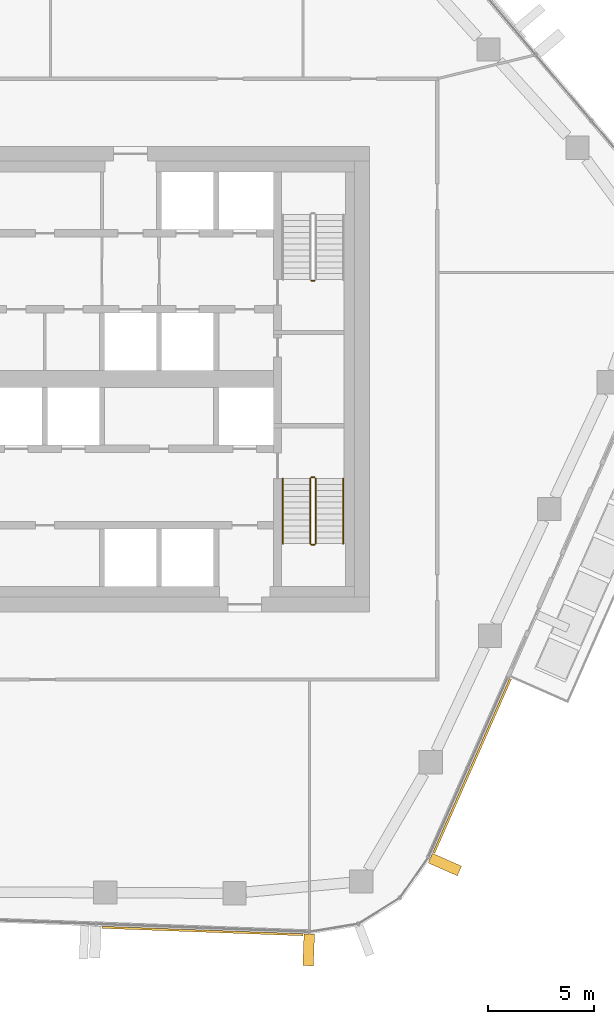
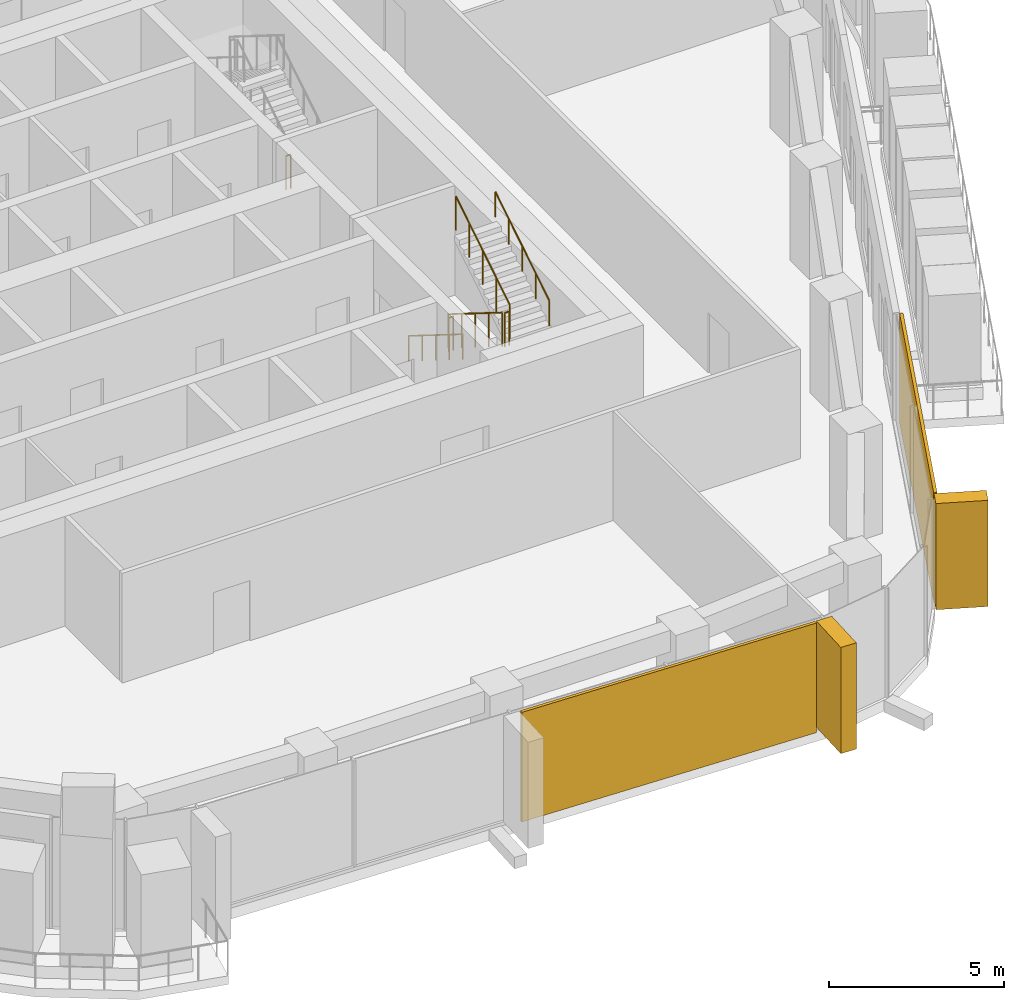
# One storey, part 17 of 21: 7 railings, 4 coverings, 2 elements without a shape of their own.
"""IFC4 building model written with IfcOpenShell, lengths in metres."""

from ifc_helpers import new_model, si_unit, direction, frame, origin, origin_2d, place, context, subcontext, project, spatial, rectangle, circle, extrude, material, layer, layer_set, material_profile, profile_set, type_object, element, aggregate, save


model = new_model("IFC4")

# Units and contexts
model_context = context("Model", 3, precision=1e-05, world=origin(), true_north=direction((0.0, 1.0)))
body_context = subcontext(model_context, "Body", "Model", "MODEL_VIEW")
ifc_project = project(units=[si_unit("LENGTHUNIT", "METRE"), si_unit("AREAUNIT", "SQUARE_METRE"), si_unit("VOLUMEUNIT", "CUBIC_METRE"), si_unit("PLANEANGLEUNIT", "RADIAN"), si_unit("MASSUNIT", "GRAM", prefix="KILO")], contexts=[model_context])

# Site, building, storey
site_placement = place(None, origin())
site = spatial("IfcSite", under=ifc_project, at=site_placement, CompositionType="ELEMENT")
building_placement = place(site_placement, origin())
building = spatial("IfcBuilding", under=site, at=building_placement, Name="Dongbaek Canopy Tower", CompositionType="ELEMENT")
storey_placement = place(building_placement, frame((0.0, 0.0, 274.800048828125)))
storey = spatial("IfcBuildingStorey", under=building, at=storey_placement, Name="L58", CompositionType="ELEMENT", Elevation=274.800048828125)

# Curtain wall, covering
ifc_material_1 = material(Name="Aluminium 6063-T6 pale anodised", Category="aluminium")
ifc_layer_1 = layer(ifc_material_1, 0.199951171875)
ifc_layer_set_1 = layer_set([ifc_layer_1], Name="CW-1 unitised tower curtain wall")
curtain_wall_type = type_object("IfcCurtainWallType", Name="CW-1 unitised tower curtain wall", PredefinedType="NOTDEFINED", material=ifc_layer_set_1)
curtain_wall_1_placement = place(storey_placement, origin())
curtain_wall_1 = element("IfcCurtainWall", 1, at=curtain_wall_1_placement, inside=storey, type_object=curtain_wall_type, Name="CW-1 curtain wall F4.1", PredefinedType="NOTDEFINED")
ifc_material_2 = material(Name="Perforated aluminium 6063-T6 pale metal screen", Category="aluminium")
ifc_layer_2 = layer(ifc_material_2, 0.10009765625)
ifc_layer_set_2 = layer_set([ifc_layer_2], Name="Facet screen FS1 100 pale metal")
covering_type_1 = type_object("IfcCoveringType", Name="Facet screen FS1 100 pale metal", PredefinedType="CLADDING", material=ifc_layer_set_2)
covering_1_placement = place(storey_placement, frame((6.105712890625, -26.08984375, 0.0), z_axis=(0.0, 0.0, 1.0), x_axis=(0.999319925154, -0.036873936466, 0.0)))
covering_1 = element("IfcCovering", 2, at=covering_1_placement, type_object=covering_type_1, Name="Facet screen L58 F4", PredefinedType="CLADDING", context=body_context, shape_type="SweptSolid", body=[
    extrude(rectangle(XDim=9.514892578125, YDim=0.10009765625, at=origin_2d()), origin(), (0.0, 0.0, 1.0), 3.820068359375),
])

curtain_wall_2_placement = place(storey_placement, origin())
curtain_wall_2 = element("IfcCurtainWall", 3, at=curtain_wall_2_placement, inside=storey, type_object=curtain_wall_type, Name="CW-1 curtain wall F5.1", PredefinedType="NOTDEFINED")
covering_2_placement = place(storey_placement, frame((18.85009765625, -18.281982421875, 0.0), z_axis=(0.0, 0.0, 1.0), x_axis=(0.403288178578, 0.915073027151, 0.0)))
covering_2 = element("IfcCovering", 4, at=covering_2_placement, type_object=covering_type_1, Name="Facet screen L58 F5", PredefinedType="CLADDING", context=body_context, shape_type="SweptSolid", body=[
    extrude(rectangle(XDim=8.99609375, YDim=0.10009765625, at=origin_2d()), origin(), (0.0, 0.0, 1.0), 3.820068359375),
])

# Covering
ifc_material_3 = material(Name="Aluminium 6063-T6 pale metal fin", Category="aluminium")
ifc_material_profile = material_profile(ifc_material_3, rectangle(XDim=1.5, YDim=0.5, at=origin_2d()), Name="Fin FN1 500 x 1500 pale metal")
ifc_profile_set = profile_set([ifc_material_profile], Name="Aluminium 6063-T6 pale metal fin")
covering_type_2 = type_object("IfcCoveringType", Name="Fin FN1 500 x 1500 pale metal", PredefinedType="CLADDING", material=ifc_profile_set)
covering_3_placement = place(storey_placement, frame((11.123779296875, -26.9794921875, 0.119873046875), z_axis=(0.0, 0.0, 1.0), x_axis=(-0.036873891921, -0.999319926798, 0.0)))
covering_3 = element("IfcCovering", 5, at=covering_3_placement, type_object=covering_type_2, Name="Fin F4.1.5", PredefinedType="CLADDING", context=body_context, shape_type="SweptSolid", body=[
    extrude(rectangle(XDim=1.5, YDim=0.5, at=origin_2d()), origin(), (0.0, 0.0, 1.0), 3.7001953125),
])

aggregate(curtain_wall_1, [covering_3, covering_1])

covering_4_placement = place(storey_placement, frame((17.563232421875, -22.947509765625, 0.119873046875), z_axis=(0.0, 0.0, 1.0), x_axis=(0.915073119112, -0.403287969917, 0.0)))
covering_4 = element("IfcCovering", 6, at=covering_4_placement, type_object=covering_type_2, Name="Fin F5.1.1", PredefinedType="CLADDING", context=body_context, shape_type="SweptSolid", body=[
    extrude(rectangle(XDim=1.5, YDim=0.5, at=origin_2d()), origin(), (0.0, 0.0, 1.0), 3.7001953125),
])

aggregate(curtain_wall_2, [covering_4, covering_2])

# Railings
ifc_material_4 = material(Name="Stainless steel tube and balusters", Category="steel")
railing_type_1 = type_object("IfcRailingType", Name="Stair guard 1200", PredefinedType="GUARDRAIL", material=ifc_material_4)
railing_1_placement = place(storey_placement, frame((11.39990234375, 4.64990234375, 0.0)))
element("IfcRailing", 7, at=railing_1_placement, inside=storey, type_object=railing_type_1, Name="L58 ST-A stair guard 4", PredefinedType="GUARDRAIL", context=body_context, shape_type="SweptSolid", body=[
    extrude(circle(Radius=0.02392578125, at=origin_2d()), frame((0.0, 0.0, 1.17578125), z_axis=(-1.0, 0.0, 0.0), x_axis=(0.0, -1.0, 0.0)), (0.0, 0.0, 1.0), 0.14990234375),
    extrude(circle(Radius=0.02099609375, at=origin_2d()), origin(), (0.0, 0.0, 1.0), 1.15185546875),
    extrude(circle(Radius=0.02099609375, at=origin_2d()), frame((-0.14990234375, 0.0, 0.0)), (0.0, 0.0, 1.0), 1.15185546875),
])
railing_2_placement = place(storey_placement, frame((11.199951171875, -4.699951171875, 0.175048828125)))
element("IfcRailing", 8, at=railing_2_placement, inside=storey, type_object=railing_type_1, Name="L58 ST-B stair guard 1", PredefinedType="GUARDRAIL", context=body_context, shape_type="SweptSolid", body=[
    extrude(circle(Radius=0.02392578125, at=origin_2d()), frame((0.0, 0.0, 1.17578125), z_axis=(0.0, -0.848028513186, 0.529950602248), x_axis=(1.0, 0.0, 0.0)), (0.0, 0.0, 1.0), 3.632080078125),
    extrude(circle(Radius=0.02099609375, at=origin_2d()), origin(), (0.0, 0.0, 1.0), 1.15185546875),
    extrude(circle(Radius=0.02099609375, at=origin_2d()), frame((0.0, -0.77001953125, 0.481201171875)), (0.0, 0.0, 1.0), 1.15185546875),
    extrude(circle(Radius=0.02099609375, at=origin_2d()), frame((0.0, -1.5400390625, 0.96240234375)), (0.0, 0.0, 1.0), 1.15185546875),
    extrude(circle(Radius=0.02099609375, at=origin_2d()), frame((0.0, -2.31005859375, 1.443603515625)), (0.0, 0.0, 1.0), 1.15185546875),
    extrude(circle(Radius=0.02099609375, at=origin_2d()), frame((0.0, -3.080078125, 1.9248046875)), (0.0, 0.0, 1.0), 1.15185546875),
])
railing_3_placement = place(storey_placement, frame((11.25, -7.830078125, 2.099853515625)))
element("IfcRailing", 9, at=railing_3_placement, inside=storey, type_object=railing_type_1, Name="L58 ST-B stair guard 2", PredefinedType="GUARDRAIL", context=body_context, shape_type="SweptSolid", body=[
    extrude(circle(Radius=0.02392578125, at=origin_2d()), frame((0.0, 0.0, 1.17578125), z_axis=(1.0, 0.0, 0.0), x_axis=(0.0, 1.0, 0.0)), (0.0, 0.0, 1.0), 0.14990234375),
    extrude(circle(Radius=0.02099609375, at=origin_2d()), origin(), (0.0, 0.0, 1.0), 1.15185546875),
    extrude(circle(Radius=0.02099609375, at=origin_2d()), frame((0.14990234375, 0.0, 0.0)), (0.0, 0.0, 1.0), 1.15185546875),
])
railing_4_placement = place(storey_placement, frame((11.449951171875, -7.780029296875, 2.27490234375)))
element("IfcRailing", 10, at=railing_4_placement, inside=storey, type_object=railing_type_1, Name="L58 ST-B stair guard 3", PredefinedType="GUARDRAIL", context=body_context, shape_type="SweptSolid", body=[
    extrude(circle(Radius=0.02392578125, at=origin_2d()), frame((0.0, 0.0, 1.17578125), z_axis=(0.0, 0.847998304005, 0.529998940003), x_axis=(-1.0, 0.0, 0.0)), (0.0, 0.0, 1.0), 3.632080078125),
    extrude(circle(Radius=0.02099609375, at=origin_2d()), origin(), (0.0, 0.0, 1.0), 1.15185546875),
    extrude(circle(Radius=0.02099609375, at=origin_2d()), frame((0.0, 0.77001953125, 0.481201171875)), (0.0, 0.0, 1.0), 1.15185546875),
    extrude(circle(Radius=0.02099609375, at=origin_2d()), frame((0.0, 1.5400390625, 0.96240234375)), (0.0, 0.0, 1.0), 1.15185546875),
    extrude(circle(Radius=0.02099609375, at=origin_2d()), frame((0.0, 2.31005859375, 1.44384765625)), (0.0, 0.0, 1.0), 1.15185546875),
    extrude(circle(Radius=0.02099609375, at=origin_2d()), frame((0.0, 3.080078125, 1.925048828125)), (0.0, 0.0, 1.0), 1.15185546875),
])
railing_5_placement = place(storey_placement, frame((11.25, -4.64990234375, 0.0)))
element("IfcRailing", 11, at=railing_5_placement, inside=storey, type_object=railing_type_1, Name="L58 ST-B stair guard 4", PredefinedType="GUARDRAIL", context=body_context, shape_type="SweptSolid", body=[
    extrude(circle(Radius=0.02392578125, at=origin_2d()), frame((0.0, 0.0, 1.17578125), z_axis=(1.0, 0.0, 0.0), x_axis=(0.0, 1.0, 0.0)), (0.0, 0.0, 1.0), 0.14990234375),
    extrude(circle(Radius=0.02099609375, at=origin_2d()), origin(), (0.0, 0.0, 1.0), 1.15185546875),
    extrude(circle(Radius=0.02099609375, at=origin_2d()), frame((0.14990234375, 0.0, 0.0)), (0.0, 0.0, 1.0), 1.15185546875),
])
ifc_material_5 = material(Name="Stainless steel tube", Category="steel")
railing_type_2 = type_object("IfcRailingType", Name="Stair handrail 900", PredefinedType="HANDRAIL", material=ifc_material_5)
railing_6_placement = place(storey_placement, frame((9.89990234375, -4.699951171875, 0.175048828125)))
element("IfcRailing", 12, at=railing_6_placement, inside=storey, type_object=railing_type_2, Name="L58 ST-B stair handrail 1", PredefinedType="HANDRAIL", context=body_context, shape_type="SweptSolid", body=[
    extrude(circle(Radius=0.02392578125, at=origin_2d()), frame((0.0, 0.0, 0.8759765625), z_axis=(0.0, -0.848028513186, 0.529950602248), x_axis=(1.0, 0.0, 0.0)), (0.0, 0.0, 1.0), 3.632080078125),
    extrude(circle(Radius=0.02099609375, at=origin_2d()), origin(), (0.0, 0.0, 1.0), 0.851806640625),
    extrude(circle(Radius=0.02099609375, at=origin_2d()), frame((0.0, -0.77001953125, 0.481201171875)), (0.0, 0.0, 1.0), 0.851806640625),
    extrude(circle(Radius=0.02099609375, at=origin_2d()), frame((0.0, -1.5400390625, 0.96240234375)), (0.0, 0.0, 1.0), 0.851806640625),
    extrude(circle(Radius=0.02099609375, at=origin_2d()), frame((0.0, -2.31005859375, 1.443603515625)), (0.0, 0.0, 1.0), 0.851806640625),
    extrude(circle(Radius=0.02099609375, at=origin_2d()), frame((0.0, -3.080078125, 1.9248046875)), (0.0, 0.0, 1.0), 0.851806640625),
])
railing_7_placement = place(storey_placement, frame((12.75, -7.780029296875, 2.27490234375)))
element("IfcRailing", 13, at=railing_7_placement, inside=storey, type_object=railing_type_2, Name="L58 ST-B stair handrail 2", PredefinedType="HANDRAIL", context=body_context, shape_type="SweptSolid", body=[
    extrude(circle(Radius=0.02392578125, at=origin_2d()), frame((0.0, 0.0, 0.8759765625), z_axis=(0.0, 0.847998304005, 0.529998940003), x_axis=(-1.0, 0.0, 0.0)), (0.0, 0.0, 1.0), 3.632080078125),
    extrude(circle(Radius=0.02099609375, at=origin_2d()), origin(), (0.0, 0.0, 1.0), 0.851806640625),
    extrude(circle(Radius=0.02099609375, at=origin_2d()), frame((0.0, 0.77001953125, 0.481201171875)), (0.0, 0.0, 1.0), 0.851806640625),
    extrude(circle(Radius=0.02099609375, at=origin_2d()), frame((0.0, 1.5400390625, 0.96240234375)), (0.0, 0.0, 1.0), 0.851806640625),
    extrude(circle(Radius=0.02099609375, at=origin_2d()), frame((0.0, 2.31005859375, 1.44384765625)), (0.0, 0.0, 1.0), 0.851806640625),
    extrude(circle(Radius=0.02099609375, at=origin_2d()), frame((0.0, 3.080078125, 1.925048828125)), (0.0, 0.0, 1.0), 0.851806640625),
])

save(model, "model.ifc")
